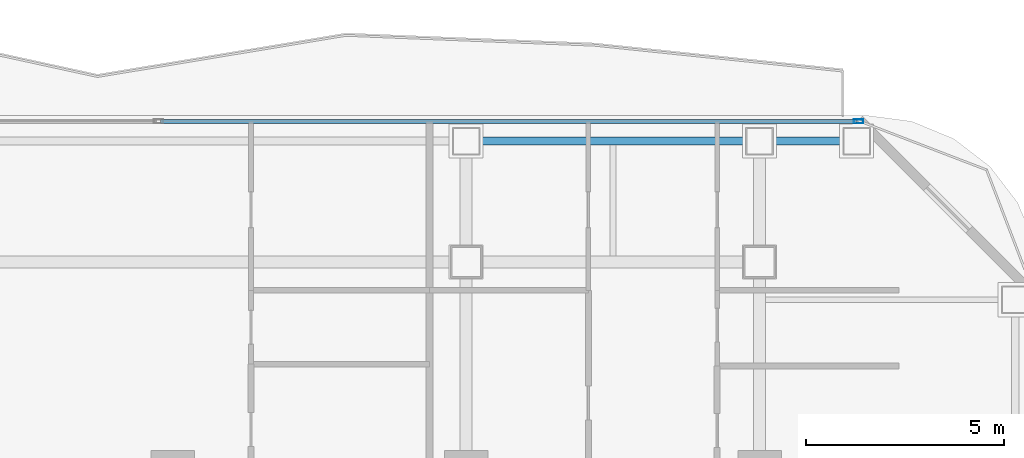
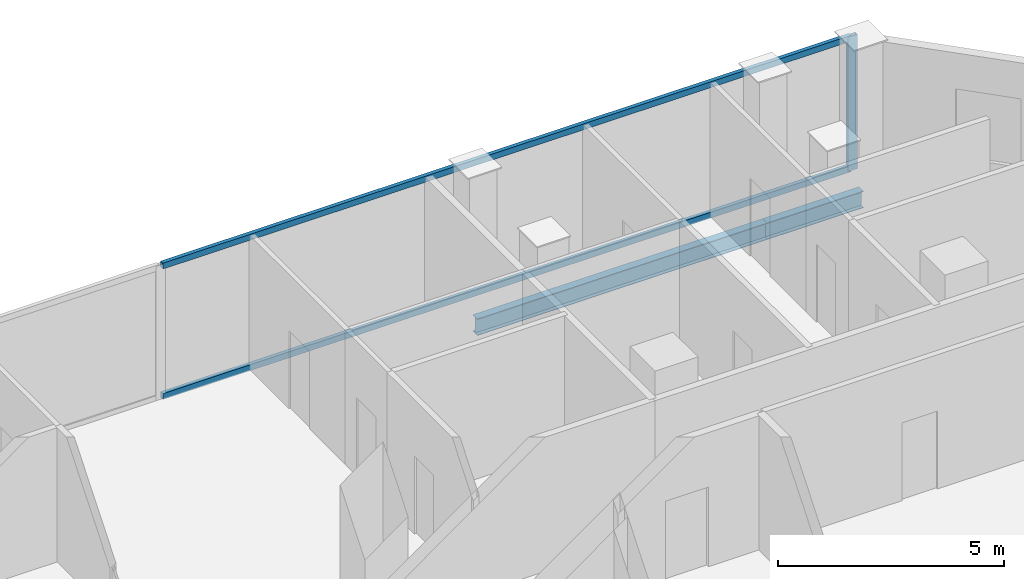
# One storey, part 17 of 26: 3 members, 2 beams, 1 element without a shape of its own.
"""IFC4 building model written with IfcOpenShell, lengths in metres."""

from ifc_helpers import new_model, si_unit, direction, frame, origin, origin_2d, place, context, subcontext, project, spatial, hollow_rectangle, i_section, extrude, material, layer, layer_set, material_profile, profile_set, type_object, element, aggregate, save


model = new_model("IFC4")

# Units and contexts
model_context = context("Model", 3, precision=1e-05, world=origin(), true_north=direction((0.0, 1.0)))
body_context = subcontext(model_context, "Body", "Model", "MODEL_VIEW")
ifc_project = project(units=[si_unit("LENGTHUNIT", "METRE"), si_unit("AREAUNIT", "SQUARE_METRE"), si_unit("VOLUMEUNIT", "CUBIC_METRE"), si_unit("PLANEANGLEUNIT", "RADIAN"), si_unit("MASSUNIT", "GRAM", prefix="KILO")], contexts=[model_context])

# Site, building, storey
site_placement = place(None, origin())
site = spatial("IfcSite", under=ifc_project, at=site_placement, CompositionType="ELEMENT")
building_placement = place(site_placement, origin())
building = spatial("IfcBuilding", under=site, at=building_placement, Name="Khorvyn Point Tower", CompositionType="ELEMENT")
storey_placement = place(building_placement, frame((0.0, 0.0, 187.5)))
storey = spatial("IfcBuildingStorey", under=building, at=storey_placement, Name="L46", CompositionType="ELEMENT", Elevation=187.5)

# Curtain wall, members
ifc_material_1 = material(Name="Anodised aluminium 6063-T6 and laminated Low-E glass", Category="aluminium")
ifc_layer = layer(ifc_material_1, 0.18994140625)
ifc_layer_set = layer_set([ifc_layer], Name="Stick-Built Acoustic Curtain Wall CW-SYS-03")
curtain_wall_type = type_object("IfcCurtainWallType", Name="Stick-Built Acoustic Curtain Wall CW-SYS-03", PredefinedType="NOTDEFINED", material=ifc_layer_set)
curtain_wall_placement = place(storey_placement, origin())
curtain_wall = element("IfcCurtainWall", 1, at=curtain_wall_placement, inside=storey, type_object=curtain_wall_type, Name="Curtain Wall", PredefinedType="NOTDEFINED")
ifc_material_2 = material(Name="Anodised aluminium 6063-T6", Category="aluminium")
ifc_material_profile_1 = material_profile(ifc_material_2, hollow_rectangle(XDim=0.10009765625, YDim=0.239990234375, WallThickness=0.0048828125, at=origin_2d()))
ifc_profile_set_1 = profile_set([ifc_material_profile_1], Name="Anodised aluminium 6063-T6 ALU-MUL-100x240")
member_type_1 = type_object("IfcMemberType", Name="Anodised Aluminium 6063-T6 Mullion ALU-MUL-100x240", PredefinedType="MULLION", material=ifc_profile_set_1)
member_1_placement = place(storey_placement, frame((17.300048828125, 23.64990234375, 0.0), z_axis=(0.0, 0.0, 1.0), x_axis=(0.0, 1.0, 0.0)))
member_1 = element("IfcMember", 2, at=member_1_placement, type_object=member_type_1, Name="Transom", PredefinedType="MULLION", context=body_context, shape_type="SweptSolid", body=[
    extrude(hollow_rectangle(XDim=0.10009765625, YDim=0.239990234375, WallThickness=0.0048828125, at=origin_2d()), origin(), (0.0, 0.0, 1.0), 3.6201171875),
])
ifc_material_profile_2 = material_profile(ifc_material_2, hollow_rectangle(XDim=0.10009765625, YDim=0.159912109375, WallThickness=0.00439453125, at=origin_2d()))
ifc_profile_set_2 = profile_set([ifc_material_profile_2], Name="Anodised aluminium 6063-T6 ALU-TRN-100x160")
member_type_2 = type_object("IfcMemberType", Name="Anodised Aluminium 6063-T6 Transom ALU-TRN-100x160", PredefinedType="USERDEFINED", material=ifc_profile_set_2)
member_2_placement = place(storey_placement, frame((-0.30908203125, 23.64990234375, 0.050048828125), z_axis=(1.0, 0.0, 0.0), x_axis=(0.0, 1.0, 0.0)))
member_2 = element("IfcMember", 3, at=member_2_placement, type_object=member_type_2, Name="Transom", ObjectType="TRANSOM", PredefinedType="USERDEFINED", context=body_context, shape_type="SweptSolid", body=[
    extrude(hollow_rectangle(XDim=0.10009765625, YDim=0.159912109375, WallThickness=0.00439453125, at=origin_2d()), origin(), (0.0, 0.0, 1.0), 17.55908203125),
])
member_3_placement = place(storey_placement, frame((-0.30908203125, 23.64990234375, 3.570068359375), z_axis=(1.0, 0.0, 0.0), x_axis=(0.0, 1.0, 0.0)))
member_3 = element("IfcMember", 4, at=member_3_placement, type_object=member_type_2, Name="Transom", ObjectType="TRANSOM", PredefinedType="USERDEFINED", context=body_context, shape_type="SweptSolid", body=[
    extrude(hollow_rectangle(XDim=0.10009765625, YDim=0.159912109375, WallThickness=0.00439453125, at=origin_2d()), origin(), (0.0, 0.0, 1.0), 17.55908203125),
])
aggregate(curtain_wall, [member_1, member_2, member_3])

# Beams
ifc_material_3 = material(Name="Steel S355", Category="steel")
ifc_material_profile_3 = material_profile(ifc_material_3, i_section(OverallWidth=0.199951171875, OverallDepth=0.449951171875, WebThickness=0.009033203125, FlangeThickness=0.013916015625, at=origin_2d()))
ifc_profile_set_3 = profile_set([ifc_material_profile_3], Name="Steel S355 H450x200x9x14")
beam_type = type_object("IfcBeamType", Name="Steel S355 Spandrel H450x200x9x14", PredefinedType="SPANDREL", material=ifc_profile_set_3)
beam_1_placement = place(storey_placement, frame((7.39990234375, 23.14990234375, -0.445068359375), z_axis=(1.0, 0.0, 0.0), x_axis=(0.0, 1.0, 0.0)))
element("IfcBeam", 5, at=beam_1_placement, inside=storey, type_object=beam_type, Name="Beam", PredefinedType="SPANDREL", context=body_context, shape_type="SweptSolid", body=[
    extrude(i_section(OverallWidth=0.199951171875, OverallDepth=0.449951171875, WebThickness=0.009033203125, FlangeThickness=0.013916015625, at=origin_2d()), origin(), (0.0, 0.0, 1.0), 7.400146484375),
])
beam_2_placement = place(storey_placement, frame((14.800048828125, 23.14990234375, -0.445068359375), z_axis=(1.0, 0.0, 0.0), x_axis=(0.0, 1.0, 0.0)))
element("IfcBeam", 6, at=beam_2_placement, inside=storey, type_object=beam_type, Name="Beam", PredefinedType="SPANDREL", context=body_context, shape_type="SweptSolid", body=[
    extrude(i_section(OverallWidth=0.199951171875, OverallDepth=0.449951171875, WebThickness=0.009033203125, FlangeThickness=0.013916015625, at=origin_2d()), origin(), (0.0, 0.0, 1.0), 2.449951171875),
])

save(model, "model.ifc")
